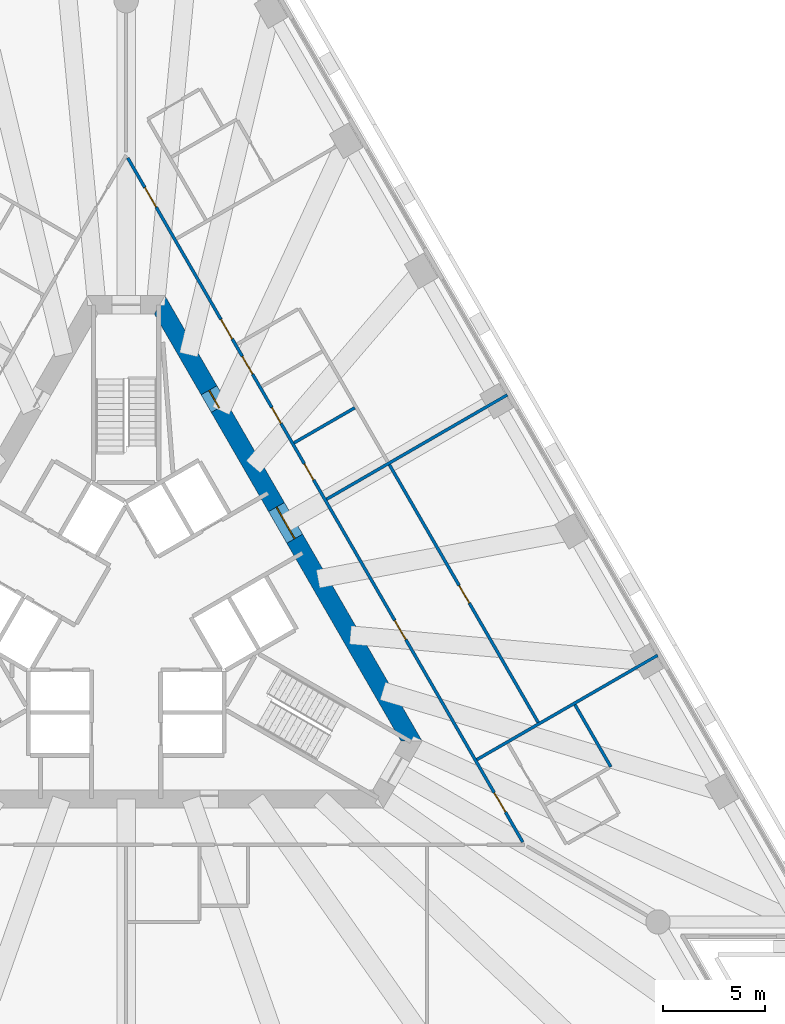
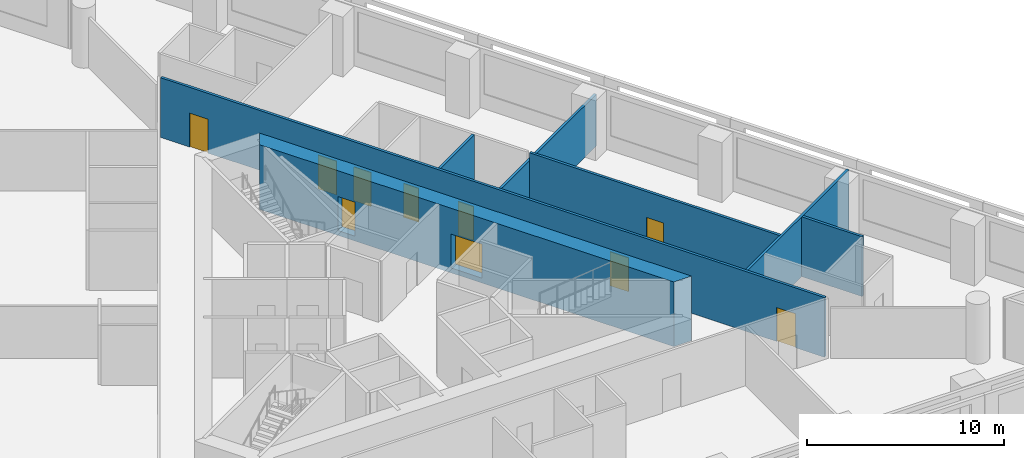
# One storey, part 6 of 11: 10 doors, 7 walls, 10 openings.
"""IFC4 building model written with IfcOpenShell, lengths in metres."""

from ifc_helpers import new_model, si_unit, direction, frame, frame_2d, origin, place, context, subcontext, project, spatial, polyline, rectangle, outline, extrude, material, layer, layer_set, type_object, element, fill, save


model = new_model("IFC4")

# Units and contexts
model_context = context("Model", 3, precision=1e-05, world=origin(), true_north=direction((0.0, 1.0)))
body_context = subcontext(model_context, "Body", "Model", "MODEL_VIEW")
ifc_project = project(units=[si_unit("LENGTHUNIT", "METRE"), si_unit("AREAUNIT", "SQUARE_METRE"), si_unit("VOLUMEUNIT", "CUBIC_METRE"), si_unit("PLANEANGLEUNIT", "RADIAN"), si_unit("MASSUNIT", "GRAM", prefix="KILO")], contexts=[model_context])

# Site, building, storey
site_placement = place(None, origin())
site = spatial("IfcSite", under=ifc_project, at=site_placement, CompositionType="ELEMENT")
building_placement = place(site_placement, origin())
building = spatial("IfcBuilding", under=site, at=building_placement, Name="Triada Interchange Tower", CompositionType="ELEMENT")
storey_placement = place(building_placement, frame((0.0, 0.0, 67.300048828125)))
storey = spatial("IfcBuildingStorey", under=building, at=storey_placement, Name="L14", CompositionType="ELEMENT", Elevation=67.300048828125)

# Wall, openings, doors
ifc_material_1 = material(Name="Concrete C70/85", Category="concrete")
ifc_layer_1 = layer(ifc_material_1, 0.89990234375)
ifc_layer_set_1 = layer_set([ifc_layer_1], Name="Core wall A 900")
wall_type_1 = type_object("IfcWallType", Name="Core wall A 900", PredefinedType="SHEAR", material=ifc_layer_set_1)
wall_1_placement = place(storey_placement, frame((14.030029296875, -6.199951171875, -0.300048828125), z_axis=(0.0, 0.0, 1.0), x_axis=(-0.500026485275, 0.866010111964, 0.0)))
wall_1 = element("IfcWall", 1, at=wall_1_placement, inside=storey, type_object=wall_type_1, Name="Core wall WA06 L14", PredefinedType="SHEAR", context=body_context, shape_type="SweptSolid", body=[
    extrude(outline(polyline([(-0.260009765625, -0.448974609375), (1.685302734375, -0.448974609375), (3.63037109375, -0.44921875), (5.57568359375, -0.44921875), (7.52099609375, -0.44921875), (9.466064453125, -0.449462890625), (11.411376953125, -0.449462890625), (13.356689453125, -0.449462890625), (15.302001953125, -0.449462890625), (17.2470703125, -0.44970703125), (19.1923828125, -0.44970703125), (21.1376953125, -0.44970703125), (23.082763671875, -0.449951171875), (25.028076171875, -0.449951171875), (24.509033203125, 0.448974609375), (22.643798828125, 0.448974609375), (20.7783203125, 0.44921875), (18.9130859375, 0.44921875), (17.0478515625, 0.44921875), (15.182373046875, 0.449462890625), (13.317138671875, 0.449462890625), (11.451904296875, 0.449462890625), (9.586669921875, 0.449462890625), (7.72119140625, 0.44970703125), (5.85595703125, 0.44970703125), (3.99072265625, 0.44970703125), (2.125244140625, 0.449951171875), (0.260009765625, 0.449951171875), (-0.260009765625, -0.448974609375)])), origin(), (0.0, 0.0, 1.0), 4.0),
])
opening_1_placement = place(wall_1_placement, frame((11.48388671875, 0.0, 0.300048828125)))
opening_1 = element("IfcOpeningElement", 2, at=opening_1_placement, cuts=wall_1, Name="Opening D12-40", PredefinedType="OPENING", context=body_context, shape_type="SweptSolid", body=[
    extrude(rectangle(XDim=1.800048828125, YDim=2.10009765625, at=frame_2d((0.89990234375, 1.050048828125))), frame((0.0, 0.4599609375, 0.0), z_axis=(0.0, -1.0, 0.0), x_axis=(1.0, 0.0, 0.0)), (0.0, 0.0, 1.0), 0.919921875),
])
opening_2_placement = place(wall_1_placement, frame((18.9140625, 0.0, 0.300048828125)))
opening_2 = element("IfcOpeningElement", 3, at=opening_2_placement, cuts=wall_1, Name="Opening D12-49", PredefinedType="OPENING", context=body_context, shape_type="SweptSolid", body=[
    extrude(rectangle(XDim=1.0, YDim=2.10009765625, at=frame_2d((0.5, 1.050048828125))), frame((0.0, 0.4599609375, 0.0), z_axis=(0.0, -1.0, 0.0), x_axis=(1.0, 0.0, 0.0)), (0.0, 0.0, 1.0), 0.919921875),
])
ifc_material_2 = material(Name="Steel S235 door leaf", Category="steel")
door_type_1 = type_object("IfcDoorType", Name="LOBBY DOOR 1800 EI2 90-C5S200", OperationType="DOUBLE_DOOR_SINGLE_SWING", PredefinedType="DOOR", material=ifc_material_2)
door_1_placement = place(opening_1_placement, origin())
door_1 = element("IfcDoor", 4, at=door_1_placement, inside=storey, type_object=door_type_1, Name="Door D12-40 L14", OperationType="DOUBLE_DOOR_SINGLE_SWING", OverallHeight=2.10009765625, OverallWidth=1.800048828125, PredefinedType="DOOR", context=body_context, shape_type="SweptSolid", body=[
    extrude(rectangle(XDim=1.800048828125, YDim=2.10009765625, at=frame_2d((0.89990234375, 1.050048828125))), frame((0.0, 0.02490234375, 0.0), z_axis=(0.0, -1.0, 0.0), x_axis=(1.0, 0.0, 0.0)), (0.0, 0.0, 1.0), 0.050048828125),
])
fill(opening_1, door_1)
door_type_2 = type_object("IfcDoorType", Name="SERVICE DOOR 1000 EI2 45-C5S200", OperationType="NOTDEFINED", PredefinedType="DOOR", material=ifc_material_2)
door_2_placement = place(opening_2_placement, origin())
door_2 = element("IfcDoor", 5, at=door_2_placement, inside=storey, type_object=door_type_2, Name="Door D12-49 L14", OperationType="SINGLE_SWING_LEFT", OverallHeight=2.10009765625, OverallWidth=1.0, PredefinedType="DOOR", context=body_context, shape_type="SweptSolid", body=[
    extrude(rectangle(XDim=1.0, YDim=2.10009765625, at=frame_2d((0.5, 1.050048828125))), frame((0.0, 0.02490234375, 0.0), z_axis=(0.0, -1.0, 0.0), x_axis=(1.0, 0.0, 0.0)), (0.0, 0.0, 1.0), 0.050048828125),
])
fill(opening_2, door_2)

# Wall
ifc_material_3 = material(Name="Gypsum board partition")
ifc_layer_2 = layer(ifc_material_3, 0.14990234375)
ifc_layer_set_2 = layer_set([ifc_layer_2], Name="PARTITION 150 EI 180")
wall_type_2 = type_object("IfcWallType", Name="PARTITION 150 EI 180", PredefinedType="PARTITIONING", material=ifc_layer_set_2)
wall_2_placement = place(storey_placement, frame((9.85107421875, 5.68701171875, 0.0), z_axis=(0.0, 0.0, 1.0), x_axis=(0.865968814955, 0.500098001921, 0.0)))
element("IfcWall", 6, at=wall_2_placement, inside=storey, type_object=wall_type_2, Name="Wall L12 2", PredefinedType="PARTITIONING", context=body_context, shape_type="SweptSolid", body=[
    extrude(rectangle(XDim=10.26025390625, YDim=0.14990234375, at=frame_2d((5.130126953125, 0.0))), origin(), (0.0, 0.0, 1.0), 3.199951171875),
])

# Wall, openings, doors
wall_3_placement = place(storey_placement, frame((0.074951171875, 22.469970703125, 0.0), z_axis=(0.0, 0.0, 1.0), x_axis=(0.500002280369, -0.866024087209, 0.0)))
wall_3 = element("IfcWall", 7, at=wall_3_placement, inside=storey, type_object=wall_type_2, Name="Wall L12 22", PredefinedType="PARTITIONING", context=body_context, shape_type="SweptSolid", body=[
    extrude(rectangle(XDim=38.843994140625, YDim=0.14990234375, at=frame_2d((19.421875, 0.0))), origin(), (0.0, 0.0, 1.0), 3.699951171875),
])
opening_3_placement = place(wall_3_placement, frame((36.0439453125, 0.0, 0.0)))
opening_3 = element("IfcOpeningElement", 8, at=opening_3_placement, cuts=wall_3, Name="Opening D12-20", PredefinedType="OPENING", context=body_context, shape_type="SweptSolid", body=[
    extrude(rectangle(XDim=1.10009765625, YDim=2.10009765625, at=frame_2d((0.550048828125, 1.050048828125))), frame((0.0, 0.0849609375, 0.0), z_axis=(0.0, -1.0, 0.0), x_axis=(1.0, 0.0, 0.0)), (0.0, 0.0, 1.0), 0.169921875),
])
opening_4_placement = place(wall_3_placement, frame((26.2548828125, 0.0, 0.0)))
opening_4 = element("IfcOpeningElement", 9, at=opening_4_placement, cuts=wall_3, Name="Opening D12-23", PredefinedType="OPENING", context=body_context, shape_type="SweptSolid", body=[
    extrude(rectangle(XDim=1.10009765625, YDim=2.10009765625, at=frame_2d((0.550048828125, 1.050048828125))), frame((0.0, 0.0849609375, 0.0), z_axis=(0.0, -1.0, 0.0), x_axis=(1.0, 0.0, 0.0)), (0.0, 0.0, 1.0), 0.169921875),
])
opening_5_placement = place(wall_3_placement, frame((9.173095703125, 0.0, 0.0)))
opening_5 = element("IfcOpeningElement", 10, at=opening_5_placement, cuts=wall_3, Name="Opening D12-25", PredefinedType="OPENING", context=body_context, shape_type="SweptSolid", body=[
    extrude(rectangle(XDim=1.10009765625, YDim=2.10009765625, at=frame_2d((0.550048828125, 1.050048828125))), frame((0.0, 0.0849609375, 0.0), z_axis=(0.0, -1.0, 0.0), x_axis=(1.0, 0.0, 0.0)), (0.0, 0.0, 1.0), 0.169921875),
])
opening_6_placement = place(wall_3_placement, frame((17.373046875, 0.0, 0.0)))
opening_6 = element("IfcOpeningElement", 11, at=opening_6_placement, cuts=wall_3, Name="Opening D12-26", PredefinedType="OPENING", context=body_context, shape_type="SweptSolid", body=[
    extrude(rectangle(XDim=0.89990234375, YDim=2.10009765625, at=frame_2d((0.449951171875, 1.050048828125))), frame((0.0, 0.0849609375, 0.0), z_axis=(0.0, -1.0, 0.0), x_axis=(1.0, 0.0, 0.0)), (0.0, 0.0, 1.0), 0.169921875),
])
opening_7_placement = place(wall_3_placement, frame((14.173095703125, 0.0, 0.0)))
opening_7 = element("IfcOpeningElement", 12, at=opening_7_placement, cuts=wall_3, Name="Opening D12-27", PredefinedType="OPENING", context=body_context, shape_type="SweptSolid", body=[
    extrude(rectangle(XDim=0.89990234375, YDim=2.10009765625, at=frame_2d((0.449951171875, 1.050048828125))), frame((0.0, 0.0849609375, 0.0), z_axis=(0.0, -1.0, 0.0), x_axis=(1.0, 0.0, 0.0)), (0.0, 0.0, 1.0), 0.169921875),
])
opening_8_placement = place(wall_3_placement, frame((11.27294921875, 0.0, 0.0)))
opening_8 = element("IfcOpeningElement", 13, at=opening_8_placement, cuts=wall_3, Name="Opening D12-28", PredefinedType="OPENING", context=body_context, shape_type="SweptSolid", body=[
    extrude(rectangle(XDim=1.0, YDim=2.10009765625, at=frame_2d((0.5, 1.050048828125))), frame((0.0, 0.0849609375, 0.0), z_axis=(0.0, -1.0, 0.0), x_axis=(1.0, 0.0, 0.0)), (0.0, 0.0, 1.0), 0.169921875),
])
opening_9_placement = place(wall_3_placement, frame((1.68896484375, 0.0, 0.0)))
opening_9 = element("IfcOpeningElement", 14, at=opening_9_placement, cuts=wall_3, Name="Opening D12-29", PredefinedType="OPENING", context=body_context, shape_type="SweptSolid", body=[
    extrude(rectangle(XDim=1.10009765625, YDim=2.10009765625, at=frame_2d((0.550048828125, 1.050048828125))), frame((0.0, 0.0849609375, 0.0), z_axis=(0.0, -1.0, 0.0), x_axis=(1.0, 0.0, 0.0)), (0.0, 0.0, 1.0), 0.169921875),
])
door_type_3 = type_object("IfcDoorType", Name="ROOM DOOR 1000 EI2 90-C5S200", OperationType="NOTDEFINED", PredefinedType="DOOR", material=ifc_material_2)
door_3_placement = place(opening_8_placement, origin())
door_3 = element("IfcDoor", 15, at=door_3_placement, inside=storey, type_object=door_type_3, Name="Door D12-28 L14", OperationType="SINGLE_SWING_RIGHT", OverallHeight=2.10009765625, OverallWidth=1.0, PredefinedType="DOOR", context=body_context, shape_type="SweptSolid", body=[
    extrude(rectangle(XDim=1.0, YDim=2.10009765625, at=frame_2d((0.5, 1.050048828125))), frame((0.0, 0.02490234375, 0.0), z_axis=(0.0, -1.0, 0.0), x_axis=(1.0, 0.0, 0.0)), (0.0, 0.0, 1.0), 0.050048828125),
])
fill(opening_8, door_3)
door_type_4 = type_object("IfcDoorType", Name="ROOM DOOR 900 EI2 90-C5S200", OperationType="NOTDEFINED", PredefinedType="DOOR", material=ifc_material_2)
door_4_placement = place(opening_6_placement, origin())
door_4 = element("IfcDoor", 16, at=door_4_placement, inside=storey, type_object=door_type_4, Name="Door D12-26 L14", OperationType="SINGLE_SWING_RIGHT", OverallHeight=2.10009765625, OverallWidth=0.89990234375, PredefinedType="DOOR", context=body_context, shape_type="SweptSolid", body=[
    extrude(rectangle(XDim=0.89990234375, YDim=2.10009765625, at=frame_2d((0.449951171875, 1.050048828125))), frame((0.0, 0.02490234375, 0.0), z_axis=(0.0, -1.0, 0.0), x_axis=(1.0, 0.0, 0.0)), (0.0, 0.0, 1.0), 0.050048828125),
])
fill(opening_6, door_4)
door_5_placement = place(opening_7_placement, origin())
door_5 = element("IfcDoor", 17, at=door_5_placement, inside=storey, type_object=door_type_4, Name="Door D12-27 L14", OperationType="SINGLE_SWING_RIGHT", OverallHeight=2.10009765625, OverallWidth=0.89990234375, PredefinedType="DOOR", context=body_context, shape_type="SweptSolid", body=[
    extrude(rectangle(XDim=0.89990234375, YDim=2.10009765625, at=frame_2d((0.449951171875, 1.050048828125))), frame((0.0, 0.02490234375, 0.0), z_axis=(0.0, -1.0, 0.0), x_axis=(1.0, 0.0, 0.0)), (0.0, 0.0, 1.0), 0.050048828125),
])
fill(opening_7, door_5)
door_type_5 = type_object("IfcDoorType", Name="TENANCY ENTRANCE DOOR 1100 EI2 90-C5S200", OperationType="NOTDEFINED", PredefinedType="DOOR", material=ifc_material_2)
door_6_placement = place(opening_3_placement, origin())
door_6 = element("IfcDoor", 18, at=door_6_placement, inside=storey, type_object=door_type_5, Name="Door D12-20 L14", OperationType="SINGLE_SWING_RIGHT", OverallHeight=2.10009765625, OverallWidth=1.10009765625, PredefinedType="DOOR", context=body_context, shape_type="SweptSolid", body=[
    extrude(rectangle(XDim=1.10009765625, YDim=2.10009765625, at=frame_2d((0.550048828125, 1.050048828125))), frame((0.0, 0.02490234375, 0.0), z_axis=(0.0, -1.0, 0.0), x_axis=(1.0, 0.0, 0.0)), (0.0, 0.0, 1.0), 0.050048828125),
])
fill(opening_3, door_6)
door_7_placement = place(opening_4_placement, origin())
door_7 = element("IfcDoor", 19, at=door_7_placement, inside=storey, type_object=door_type_5, Name="Door D12-23 L14", OperationType="SINGLE_SWING_RIGHT", OverallHeight=2.10009765625, OverallWidth=1.10009765625, PredefinedType="DOOR", context=body_context, shape_type="SweptSolid", body=[
    extrude(rectangle(XDim=1.10009765625, YDim=2.10009765625, at=frame_2d((0.550048828125, 1.050048828125))), frame((0.0, 0.02490234375, 0.0), z_axis=(0.0, -1.0, 0.0), x_axis=(1.0, 0.0, 0.0)), (0.0, 0.0, 1.0), 0.050048828125),
])
fill(opening_4, door_7)
door_8_placement = place(opening_5_placement, origin())
door_8 = element("IfcDoor", 20, at=door_8_placement, inside=storey, type_object=door_type_5, Name="Door D12-25 L14", OperationType="SINGLE_SWING_LEFT", OverallHeight=2.10009765625, OverallWidth=1.10009765625, PredefinedType="DOOR", context=body_context, shape_type="SweptSolid", body=[
    extrude(rectangle(XDim=1.10009765625, YDim=2.10009765625, at=frame_2d((0.550048828125, 1.050048828125))), frame((0.0, 0.02490234375, 0.0), z_axis=(0.0, -1.0, 0.0), x_axis=(1.0, 0.0, 0.0)), (0.0, 0.0, 1.0), 0.050048828125),
])
fill(opening_5, door_8)
door_9_placement = place(opening_9_placement, origin())
door_9 = element("IfcDoor", 21, at=door_9_placement, inside=storey, type_object=door_type_5, Name="Door D12-29 L14", OperationType="SINGLE_SWING_LEFT", OverallHeight=2.10009765625, OverallWidth=1.10009765625, PredefinedType="DOOR", context=body_context, shape_type="SweptSolid", body=[
    extrude(rectangle(XDim=1.10009765625, YDim=2.10009765625, at=frame_2d((0.550048828125, 1.050048828125))), frame((0.0, 0.02490234375, 0.0), z_axis=(0.0, -1.0, 0.0), x_axis=(1.0, 0.0, 0.0)), (0.0, 0.0, 1.0), 0.050048828125),
])
fill(opening_9, door_9)

# Walls
wall_4_placement = place(storey_placement, frame((8.2509765625, 8.4580078125, 0.0), z_axis=(0.0, 0.0, 1.0), x_axis=(0.866031223622, 0.49998991961, 0.0)))
element("IfcWall", 22, at=wall_4_placement, inside=storey, type_object=wall_type_2, Name="Wall L12 29", PredefinedType="PARTITIONING", context=body_context, shape_type="SweptSolid", body=[
    extrude(rectangle(XDim=3.4501953125, YDim=0.14990234375, at=frame_2d((1.72509765625, 0.0))), origin(), (0.0, 0.0, 1.0), 3.699951171875),
])
wall_5_placement = place(storey_placement, frame((17.242919921875, -7.114990234375, 0.0), z_axis=(0.0, 0.0, 1.0), x_axis=(0.866020337685, 0.500008774639, 0.0)))
element("IfcWall", 23, at=wall_5_placement, inside=storey, type_object=wall_type_2, Name="Wall L12 31", PredefinedType="PARTITIONING", context=body_context, shape_type="SweptSolid", body=[
    extrude(rectangle(XDim=10.259521484375, YDim=0.14990234375, at=frame_2d((5.1298828125, 0.0))), origin(), (0.0, 0.0, 1.0), 3.699951171875),
])
ifc_layer_3 = layer(ifc_material_3, 0.14990234375)
ifc_layer_set_3 = layer_set([ifc_layer_3], Name="PARTITION 150 EI 90")
wall_type_3 = type_object("IfcWallType", Name="PARTITION 150 EI 90", PredefinedType="PARTITIONING", material=ifc_layer_set_3)
wall_6_placement = place(storey_placement, frame((22.06494140625, -4.4169921875, 0.0), z_axis=(0.0, 0.0, 1.0), x_axis=(0.499856357168, -0.86610832013, 0.0)))
element("IfcWall", 24, at=wall_6_placement, inside=storey, type_object=wall_type_3, Name="Wall L12 43", PredefinedType="PARTITIONING", context=body_context, shape_type="SweptSolid", body=[
    extrude(rectangle(XDim=3.52490234375, YDim=0.14990234375, at=frame_2d((1.762451171875, 0.0))), origin(), (0.0, 0.0, 1.0), 3.699951171875),
])

# Wall, opening, door
wall_7_placement = place(storey_placement, frame((12.94189453125, 7.384033203125, 0.0), z_axis=(0.0, 0.0, 1.0), x_axis=(0.499995423472, -0.866028046028, 0.0)))
wall_7 = element("IfcWall", 25, at=wall_7_placement, inside=storey, type_object=wall_type_3, Name="Wall L12 44", PredefinedType="PARTITIONING", context=body_context, shape_type="SweptSolid", body=[
    extrude(rectangle(XDim=14.632568359375, YDim=0.14990234375, at=frame_2d((7.31640625, 0.0))), origin(), (0.0, 0.0, 1.0), 3.699951171875),
])
opening_10_placement = place(wall_7_placement, frame((6.85693359375, 0.0, 0.0)))
opening_10 = element("IfcOpeningElement", 26, at=opening_10_placement, cuts=wall_7, Name="Opening D12-24", PredefinedType="OPENING", context=body_context, shape_type="SweptSolid", body=[
    extrude(rectangle(XDim=1.0, YDim=2.10009765625, at=frame_2d((0.5, 1.050048828125))), frame((0.0, 0.0849609375, 0.0), z_axis=(0.0, -1.0, 0.0), x_axis=(1.0, 0.0, 0.0)), (0.0, 0.0, 1.0), 0.169921875),
])
door_type_6 = type_object("IfcDoorType", Name="ROOM DOOR 1000 EI2 45-C5S200", OperationType="NOTDEFINED", PredefinedType="DOOR", material=ifc_material_2)
door_10_placement = place(opening_10_placement, origin())
door_10 = element("IfcDoor", 27, at=door_10_placement, inside=storey, type_object=door_type_6, Name="Door D12-24 L14", OperationType="SINGLE_SWING_LEFT", OverallHeight=2.10009765625, OverallWidth=1.0, PredefinedType="DOOR", context=body_context, shape_type="SweptSolid", body=[
    extrude(rectangle(XDim=1.0, YDim=2.10009765625, at=frame_2d((0.5, 1.050048828125))), frame((0.0, 0.02490234375, 0.0), z_axis=(0.0, -1.0, 0.0), x_axis=(1.0, 0.0, 0.0)), (0.0, 0.0, 1.0), 0.050048828125),
])
fill(opening_10, door_10)

save(model, "model.ifc")
